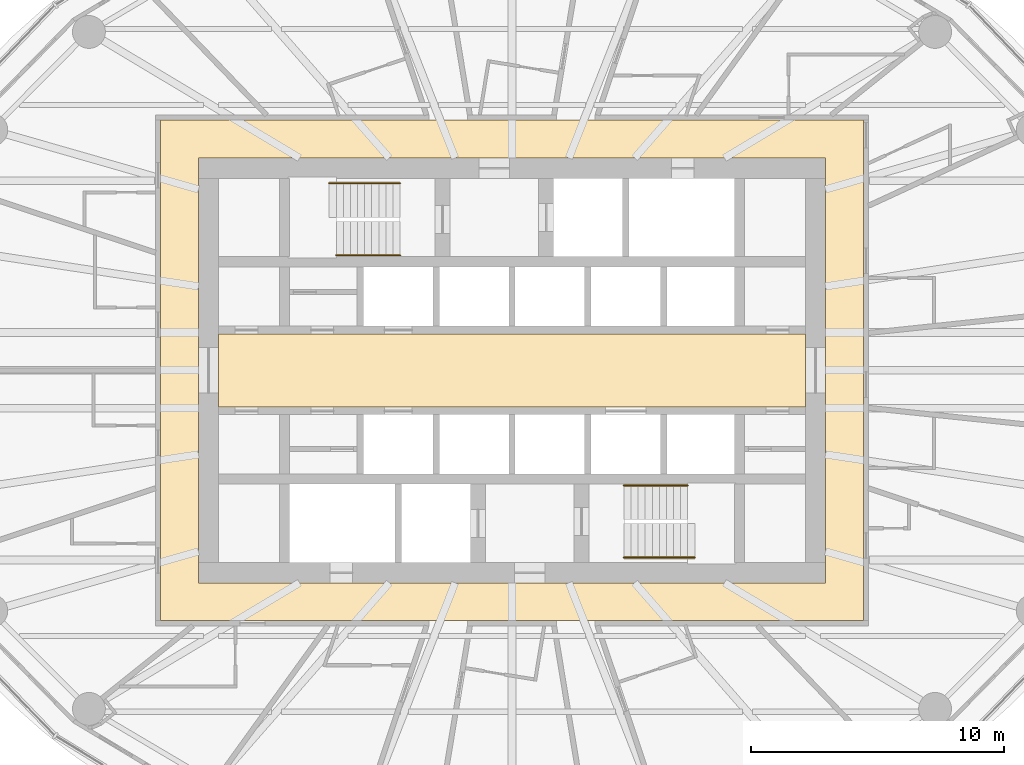
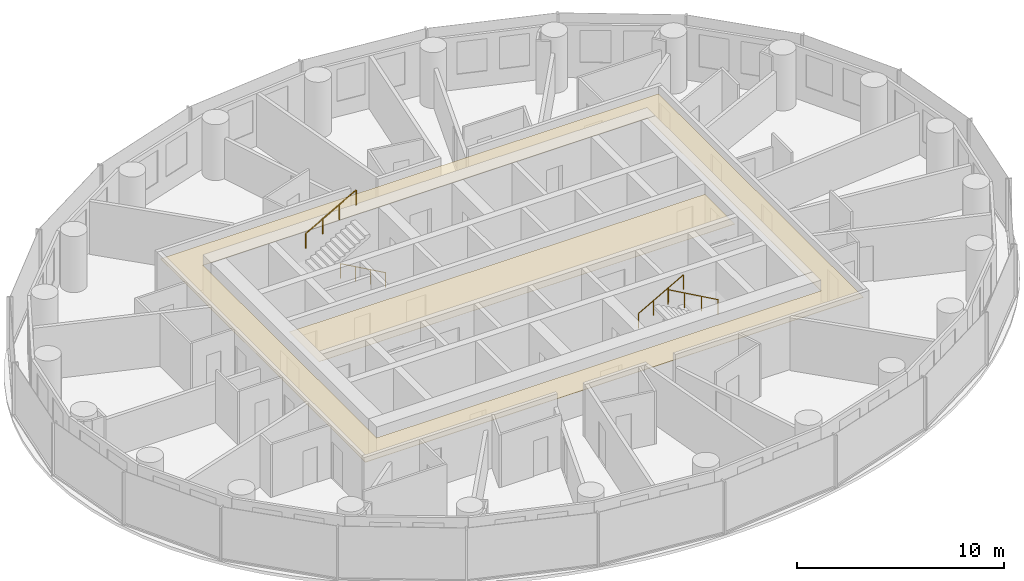
# One storey, part 13 of 13: 4 railings, 2 coverings.
"""IFC4 building model written with IfcOpenShell, lengths in metres."""

from ifc_helpers import new_model, si_unit, direction, frame, origin, origin_2d, place, context, subcontext, project, spatial, polyline, circle, outline, extrude, material, layer, layer_set, type_object, element, save


model = new_model("IFC4")

# Units and contexts
model_context = context("Model", 3, precision=1e-05, world=origin(), true_north=direction((0.0, 1.0)))
body_context = subcontext(model_context, "Body", "Model", "MODEL_VIEW")
ifc_project = project(units=[si_unit("LENGTHUNIT", "METRE"), si_unit("AREAUNIT", "SQUARE_METRE"), si_unit("VOLUMEUNIT", "CUBIC_METRE"), si_unit("PLANEANGLEUNIT", "RADIAN"), si_unit("MASSUNIT", "GRAM", prefix="KILO")], contexts=[model_context])

# Site, building, storey
site_placement = place(None, origin())
site = spatial("IfcSite", under=ifc_project, at=site_placement, CompositionType="ELEMENT")
building_placement = place(site_placement, origin())
building = spatial("IfcBuilding", under=site, at=building_placement, Name="Hankou Lantern Tower", CompositionType="ELEMENT")
storey_placement = place(building_placement, frame((0.0, 0.0, 118.800048828125)))
storey = spatial("IfcBuildingStorey", under=building, at=storey_placement, Name="L30", CompositionType="ELEMENT", Elevation=118.800048828125)

# Coverings
ifc_material_1 = material(Name="Black painted aluminium linear ceiling panels", Category="aluminium")
ifc_layer_1 = layer(ifc_material_1, 0.02490234375)
ifc_layer_set_1 = layer_set([ifc_layer_1], Name="Black painted aluminium linear ceiling panels")
covering_type_1 = type_object("IfcCoveringType", Name="CL1 CORRIDOR CEILING 25", PredefinedType="CEILING", material=ifc_layer_set_1)
covering_1_placement = place(storey_placement, frame((0.0, 0.0, 2.64501953125)))
element("IfcCovering", 1, at=covering_1_placement, inside=storey, type_object=covering_type_1, Name="Corridor ceiling L30", PredefinedType="CEILING", context=body_context, shape_type="SweptSolid", body=[
    extrude(outline(polyline([(-13.89990234375, -9.89990234375), (13.89990234375, -9.89990234375), (13.89990234375, 9.89990234375), (-13.89990234375, 9.89990234375), (-13.89990234375, -9.89990234375)]), holes=[polyline([(-12.39990234375, 8.39990234375), (12.39990234375, 8.39990234375), (12.39990234375, -8.39990234375), (-12.39990234375, -8.39990234375), (-12.39990234375, 8.39990234375)])]), origin(), (0.0, 0.0, 1.0), 0.02490234375),
])
ifc_material_2 = material(Name="Perforated black aluminium acoustic tray ceiling", Category="aluminium")
ifc_layer_2 = layer(ifc_material_2, 0.014892578125)
ifc_layer_set_2 = layer_set([ifc_layer_2], Name="Perforated black aluminium acoustic tray ceiling")
covering_type_2 = type_object("IfcCoveringType", Name="CL2 LIFT LOBBY CEILING 15", PredefinedType="CEILING", material=ifc_layer_set_2)
covering_2_placement = place(storey_placement, frame((0.0, 0.0, 2.655029296875)))
element("IfcCovering", 2, at=covering_2_placement, inside=storey, type_object=covering_type_2, Name="Lift lobby ceiling L30", PredefinedType="CEILING", context=body_context, shape_type="SweptSolid", body=[
    extrude(outline(polyline([(-11.60009765625, -1.449951171875), (11.60009765625, -1.449951171875), (11.60009765625, 1.449951171875), (-11.60009765625, 1.449951171875), (-11.60009765625, -1.449951171875)])), origin(), (0.0, 0.0, 1.0), 0.014892578125),
])

# Railings
ifc_material_3 = material(Name="Steel handrail", Category="steel")
railing_type = type_object("IfcRailingType", Name="HR1 STAIR HANDRAIL", PredefinedType="HANDRAIL", material=ifc_material_3)
railing_1_placement = place(storey_placement, frame((-4.429931640625, 4.550048828125, 0.89990234375)))
element("IfcRailing", 3, at=railing_1_placement, inside=storey, type_object=railing_type, Name="Handrail stair STA L30 flight 1", PredefinedType="HANDRAIL", context=body_context, shape_type="SweptSolid", body=[
    extrude(circle(Radius=0.02392578125, at=origin_2d()), frame((0.0, 0.0, 0.8759765625), z_axis=(-0.872048945198, 0.0, 0.489418672692), x_axis=(0.0, -1.0, 0.0)), (0.0, 0.0, 1.0), 2.8896484375),
    extrude(circle(Radius=0.02099609375, at=origin_2d()), origin(), (0.0, 0.0, 1.0), 0.851806640625),
    extrude(circle(Radius=0.02099609375, at=origin_2d()), frame((-0.840087890625, 0.0, 0.471435546875)), (0.0, 0.0, 1.0), 0.851806640625),
    extrude(circle(Radius=0.02099609375, at=origin_2d()), frame((-1.679931640625, 0.0, 0.94287109375)), (0.0, 0.0, 1.0), 0.851806640625),
    extrude(circle(Radius=0.02099609375, at=origin_2d()), frame((-2.52001953125, 0.0, 1.414306640625)), (0.0, 0.0, 1.0), 0.851806640625),
])
railing_2_placement = place(storey_placement, frame((-7.22998046875, 7.39990234375, 2.471435546875)))
element("IfcRailing", 4, at=railing_2_placement, inside=storey, type_object=railing_type, Name="Handrail stair STA L30 flight 2", PredefinedType="HANDRAIL", context=body_context, shape_type="SweptSolid", body=[
    extrude(circle(Radius=0.02392578125, at=origin_2d()), frame((0.0, 0.0, 0.8759765625), z_axis=(0.872072602893, 0.0, 0.489376516891), x_axis=(0.0, 1.0, 0.0)), (0.0, 0.0, 1.0), 3.210693359375),
    extrude(circle(Radius=0.02099609375, at=origin_2d()), origin(), (0.0, 0.0, 1.0), 0.851806640625),
    extrude(circle(Radius=0.02099609375, at=origin_2d()), frame((0.933349609375, 0.0, 0.523681640625)), (0.0, 0.0, 1.0), 0.851806640625),
    extrude(circle(Radius=0.02099609375, at=origin_2d()), frame((1.86669921875, 0.0, 1.047607421875)), (0.0, 0.0, 1.0), 0.851806640625),
    extrude(circle(Radius=0.02099609375, at=origin_2d()), frame((2.800048828125, 0.0, 1.5712890625)), (0.0, 0.0, 1.0), 0.851806640625),
])
railing_3_placement = place(storey_placement, frame((4.429931640625, -4.550048828125, 0.89990234375)))
element("IfcRailing", 5, at=railing_3_placement, inside=storey, type_object=railing_type, Name="Handrail stair STB L30 flight 1", PredefinedType="HANDRAIL", context=body_context, shape_type="SweptSolid", body=[
    extrude(circle(Radius=0.02392578125, at=origin_2d()), frame((0.0, 0.0, 0.8759765625), z_axis=(0.872048945198, 0.0, 0.489418672692), x_axis=(0.0, 1.0, 0.0)), (0.0, 0.0, 1.0), 2.8896484375),
    extrude(circle(Radius=0.02099609375, at=origin_2d()), origin(), (0.0, 0.0, 1.0), 0.851806640625),
    extrude(circle(Radius=0.02099609375, at=origin_2d()), frame((0.840087890625, 0.0, 0.471435546875)), (0.0, 0.0, 1.0), 0.851806640625),
    extrude(circle(Radius=0.02099609375, at=origin_2d()), frame((1.679931640625, 0.0, 0.94287109375)), (0.0, 0.0, 1.0), 0.851806640625),
    extrude(circle(Radius=0.02099609375, at=origin_2d()), frame((2.52001953125, 0.0, 1.414306640625)), (0.0, 0.0, 1.0), 0.851806640625),
])
railing_4_placement = place(storey_placement, frame((7.22998046875, -7.39990234375, 2.471435546875)))
element("IfcRailing", 6, at=railing_4_placement, inside=storey, type_object=railing_type, Name="Handrail stair STB L30 flight 2", PredefinedType="HANDRAIL", context=body_context, shape_type="SweptSolid", body=[
    extrude(circle(Radius=0.02392578125, at=origin_2d()), frame((0.0, 0.0, 0.8759765625), z_axis=(-0.872072602893, 0.0, 0.489376516891), x_axis=(0.0, -1.0, 0.0)), (0.0, 0.0, 1.0), 3.210693359375),
    extrude(circle(Radius=0.02099609375, at=origin_2d()), origin(), (0.0, 0.0, 1.0), 0.851806640625),
    extrude(circle(Radius=0.02099609375, at=origin_2d()), frame((-0.933349609375, 0.0, 0.523681640625)), (0.0, 0.0, 1.0), 0.851806640625),
    extrude(circle(Radius=0.02099609375, at=origin_2d()), frame((-1.86669921875, 0.0, 1.047607421875)), (0.0, 0.0, 1.0), 0.851806640625),
    extrude(circle(Radius=0.02099609375, at=origin_2d()), frame((-2.800048828125, 0.0, 1.5712890625)), (0.0, 0.0, 1.0), 0.851806640625),
])

save(model, "model.ifc")
